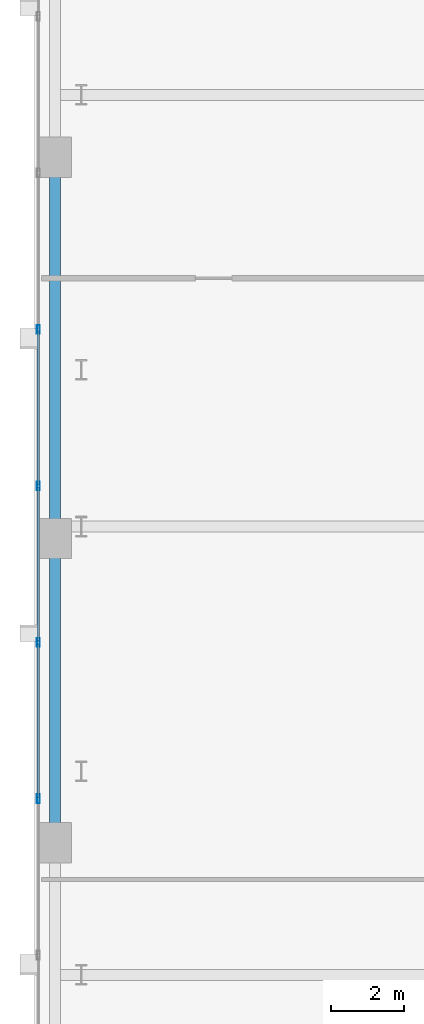
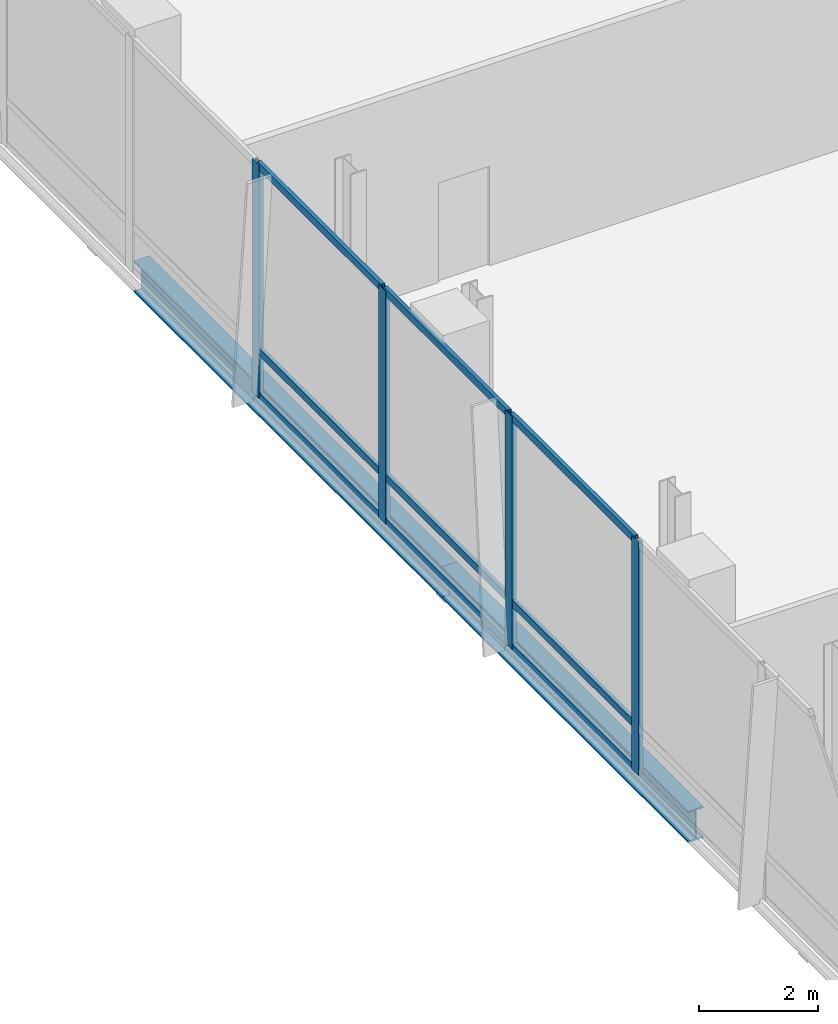
# One storey, part 8 of 26: 13 members, 2 beams, 1 element without a shape of its own.
"""IFC4 building model written with IfcOpenShell, lengths in metres."""

from ifc_helpers import new_model, si_unit, direction, frame, origin, origin_2d, place, context, subcontext, project, spatial, hollow_rectangle, i_section, extrude, material, material_profile, profile_set, type_object, element, aggregate, save


model = new_model("IFC4")

# Units and contexts
model_context = context("Model", 3, precision=1e-05, world=origin(), true_north=direction((0.0, 1.0)))
body_context = subcontext(model_context, "Body", "Model", "MODEL_VIEW")
ifc_project = project(units=[si_unit("LENGTHUNIT", "METRE"), si_unit("AREAUNIT", "SQUARE_METRE"), si_unit("VOLUMEUNIT", "CUBIC_METRE"), si_unit("PLANEANGLEUNIT", "RADIAN"), si_unit("MASSUNIT", "GRAM", prefix="KILO")], contexts=[model_context])

# Site, building, storey
site_placement = place(None, origin())
site = spatial("IfcSite", under=ifc_project, at=site_placement, CompositionType="ELEMENT")
building_placement = place(site_placement, origin())
building = spatial("IfcBuilding", under=site, at=building_placement, Name="Khoronbel Lancet Exchange", CompositionType="ELEMENT")
storey_placement = place(building_placement, frame((0.0, 0.0, 5.39990234375)))
storey = spatial("IfcBuildingStorey", under=building, at=storey_placement, Name="L01", CompositionType="ELEMENT", Elevation=5.39990234375)

# Beams
ifc_material_1 = material(Name="Steel S355", Category="steel")
ifc_material_profile_1 = material_profile(ifc_material_1, i_section(OverallWidth=0.300048828125, OverallDepth=0.64990234375, WebThickness=0.01611328125, FlangeThickness=0.031005859375, at=origin_2d()), Name="HEB 650")
ifc_profile_set_1 = profile_set([ifc_material_profile_1], Name="Steel S355")
beam_type = type_object("IfcBeamType", Name="BM-BSP1", PredefinedType="SPANDREL", material=ifc_profile_set_1)
beam_1_placement = place(storey_placement, frame((0.550048828125, 41.5, -0.52490234375), z_axis=(0.0, -1.0, 0.0), x_axis=(1.0, 0.0, 0.0)))
element("IfcBeam", 1, at=beam_1_placement, inside=storey, type_object=beam_type, Name="Level L01 perimeter spandrel beam SP16", PredefinedType="SPANDREL", context=body_context, shape_type="SweptSolid", body=[
    extrude(i_section(OverallWidth=0.300048828125, OverallDepth=0.64990234375, WebThickness=0.01611328125, FlangeThickness=0.031005859375, at=origin_2d()), origin(), (0.0, 0.0, 1.0), 10.39990234375),
])
beam_2_placement = place(storey_placement, frame((0.550048828125, 31.10009765625, -0.52490234375), z_axis=(0.0, -1.0, 0.0), x_axis=(1.0, 0.0, 0.0)))
element("IfcBeam", 2, at=beam_2_placement, inside=storey, type_object=beam_type, Name="Level L01 perimeter spandrel beam SP17", PredefinedType="SPANDREL", context=body_context, shape_type="SweptSolid", body=[
    extrude(i_section(OverallWidth=0.300048828125, OverallDepth=0.64990234375, WebThickness=0.01611328125, FlangeThickness=0.031005859375, at=origin_2d()), origin(), (0.0, 0.0, 1.0), 8.300048828125),
])

# Curtain wall, members
ifc_material_2 = material(Name="Low-E Solar Control Insulating Glass", Category="glass")
curtain_wall_type = type_object("IfcCurtainWallType", Name="CW-5", PredefinedType="NOTDEFINED", material=ifc_material_2)
curtain_wall_placement = place(storey_placement, origin())
curtain_wall = element("IfcCurtainWall", 3, at=curtain_wall_placement, inside=storey, type_object=curtain_wall_type, Name="Unitised curtain wall CW-L01-WEST", PredefinedType="NOTDEFINED")
ifc_material_3 = material(Name="Bronze-Anodised Aluminium 6063-T6", Category="aluminium")
ifc_material_profile_2 = material_profile(ifc_material_3, hollow_rectangle(XDim=0.0849609375, YDim=0.239990234375, WallThickness=0.006103515625, at=origin_2d()), Name="ALU MULLION 85x240")
ifc_profile_set_2 = profile_set([ifc_material_profile_2], Name="Bronze-Anodised Aluminium 6063-T6")
member_type_1 = type_object("IfcMemberType", Name="MEM-CWM1", PredefinedType="MULLION", material=ifc_profile_set_2)
member_1_placement = place(storey_placement, frame((0.10009765625, 36.800048828125, 0.0), z_axis=(0.0, 0.0, 1.0), x_axis=(1.0, 0.0, 0.0)))
member_1 = element("IfcMember", 4, at=member_1_placement, type_object=member_type_1, Name="CW5 mullion 4", PredefinedType="MULLION", context=body_context, shape_type="SweptSolid", body=[
    extrude(hollow_rectangle(XDim=0.0849609375, YDim=0.239990234375, WallThickness=0.006103515625, at=origin_2d()), origin(), (0.0, 0.0, 1.0), 4.800048828125),
])
member_2_placement = place(storey_placement, frame((0.10009765625, 32.533447265625, 0.0), z_axis=(0.0, 0.0, 1.0), x_axis=(1.0, 0.0, 0.0)))
member_2 = element("IfcMember", 5, at=member_2_placement, type_object=member_type_1, Name="CW5 mullion 5", PredefinedType="MULLION", context=body_context, shape_type="SweptSolid", body=[
    extrude(hollow_rectangle(XDim=0.0849609375, YDim=0.239990234375, WallThickness=0.006103515625, at=origin_2d()), origin(), (0.0, 0.0, 1.0), 4.800048828125),
])
member_3_placement = place(storey_placement, frame((0.10009765625, 28.2666015625, 0.0), z_axis=(0.0, 0.0, 1.0), x_axis=(1.0, 0.0, 0.0)))
member_3 = element("IfcMember", 6, at=member_3_placement, type_object=member_type_1, Name="CW5 mullion 6", PredefinedType="MULLION", context=body_context, shape_type="SweptSolid", body=[
    extrude(hollow_rectangle(XDim=0.0849609375, YDim=0.239990234375, WallThickness=0.006103515625, at=origin_2d()), origin(), (0.0, 0.0, 1.0), 4.800048828125),
])
member_4_placement = place(storey_placement, frame((0.10009765625, 24.0, 0.0), z_axis=(0.0, 0.0, 1.0), x_axis=(1.0, 0.0, 0.0)))
member_4 = element("IfcMember", 7, at=member_4_placement, type_object=member_type_1, Name="CW5 mullion 7", PredefinedType="MULLION", context=body_context, shape_type="SweptSolid", body=[
    extrude(hollow_rectangle(XDim=0.0849609375, YDim=0.239990234375, WallThickness=0.006103515625, at=origin_2d()), origin(), (0.0, 0.0, 1.0), 4.800048828125),
])
ifc_material_profile_3 = material_profile(ifc_material_3, hollow_rectangle(XDim=0.074951171875, YDim=0.14990234375, WallThickness=0.00439453125, at=origin_2d()), Name="ALU TRANSOM 75x150")
ifc_profile_set_3 = profile_set([ifc_material_profile_3], Name="Bronze-Anodised Aluminium 6063-T6")
member_type_2 = type_object("IfcMemberType", Name="MEM-CWT2", PredefinedType="USERDEFINED", material=ifc_profile_set_3)
member_5_placement = place(storey_placement, frame((0.10009765625, 36.757568359375, 0.03759765625), z_axis=(0.0, -1.0, 0.0), x_axis=(1.0, 0.0, 0.0)))
member_5 = element("IfcMember", 8, at=member_5_placement, type_object=member_type_2, Name="CW5 transom 4.1", ObjectType="TRANSOM", PredefinedType="USERDEFINED", context=body_context, shape_type="SweptSolid", body=[
    extrude(hollow_rectangle(XDim=0.074951171875, YDim=0.14990234375, WallThickness=0.00439453125, at=origin_2d()), origin(), (0.0, 0.0, 1.0), 4.181640625),
])
member_6_placement = place(storey_placement, frame((0.10009765625, 36.757568359375, 0.9501953125), z_axis=(0.0, -1.0, 0.0), x_axis=(1.0, 0.0, 0.0)))
member_6 = element("IfcMember", 9, at=member_6_placement, type_object=member_type_2, Name="CW5 transom 4.2", ObjectType="TRANSOM", PredefinedType="USERDEFINED", context=body_context, shape_type="SweptSolid", body=[
    extrude(hollow_rectangle(XDim=0.074951171875, YDim=0.14990234375, WallThickness=0.00439453125, at=origin_2d()), origin(), (0.0, 0.0, 1.0), 4.181640625),
])
member_7_placement = place(storey_placement, frame((0.10009765625, 36.757568359375, 4.7626953125), z_axis=(0.0, -1.0, 0.0), x_axis=(1.0, 0.0, 0.0)))
member_7 = element("IfcMember", 10, at=member_7_placement, type_object=member_type_2, Name="CW5 transom 4.3", ObjectType="TRANSOM", PredefinedType="USERDEFINED", context=body_context, shape_type="SweptSolid", body=[
    extrude(hollow_rectangle(XDim=0.074951171875, YDim=0.14990234375, WallThickness=0.00439453125, at=origin_2d()), origin(), (0.0, 0.0, 1.0), 4.181640625),
])
member_8_placement = place(storey_placement, frame((0.10009765625, 32.49072265625, 0.03759765625), z_axis=(0.0, -1.0, 0.0), x_axis=(1.0, 0.0, 0.0)))
member_8 = element("IfcMember", 11, at=member_8_placement, type_object=member_type_2, Name="CW5 transom 5.1", ObjectType="TRANSOM", PredefinedType="USERDEFINED", context=body_context, shape_type="SweptSolid", body=[
    extrude(hollow_rectangle(XDim=0.074951171875, YDim=0.14990234375, WallThickness=0.00439453125, at=origin_2d()), origin(), (0.0, 0.0, 1.0), 4.181640625),
])
member_9_placement = place(storey_placement, frame((0.10009765625, 32.49072265625, 0.9501953125), z_axis=(0.0, -1.0, 0.0), x_axis=(1.0, 0.0, 0.0)))
member_9 = element("IfcMember", 12, at=member_9_placement, type_object=member_type_2, Name="CW5 transom 5.2", ObjectType="TRANSOM", PredefinedType="USERDEFINED", context=body_context, shape_type="SweptSolid", body=[
    extrude(hollow_rectangle(XDim=0.074951171875, YDim=0.14990234375, WallThickness=0.00439453125, at=origin_2d()), origin(), (0.0, 0.0, 1.0), 4.181640625),
])
member_10_placement = place(storey_placement, frame((0.10009765625, 32.49072265625, 4.7626953125), z_axis=(0.0, -1.0, 0.0), x_axis=(1.0, 0.0, 0.0)))
member_10 = element("IfcMember", 13, at=member_10_placement, type_object=member_type_2, Name="CW5 transom 5.3", ObjectType="TRANSOM", PredefinedType="USERDEFINED", context=body_context, shape_type="SweptSolid", body=[
    extrude(hollow_rectangle(XDim=0.074951171875, YDim=0.14990234375, WallThickness=0.00439453125, at=origin_2d()), origin(), (0.0, 0.0, 1.0), 4.181640625),
])
member_11_placement = place(storey_placement, frame((0.10009765625, 28.22412109375, 0.03759765625), z_axis=(0.0, -1.0, 0.0), x_axis=(1.0, 0.0, 0.0)))
member_11 = element("IfcMember", 14, at=member_11_placement, type_object=member_type_2, Name="CW5 transom 6.1", ObjectType="TRANSOM", PredefinedType="USERDEFINED", context=body_context, shape_type="SweptSolid", body=[
    extrude(hollow_rectangle(XDim=0.074951171875, YDim=0.14990234375, WallThickness=0.00439453125, at=origin_2d()), origin(), (0.0, 0.0, 1.0), 4.181640625),
])
member_12_placement = place(storey_placement, frame((0.10009765625, 28.22412109375, 0.9501953125), z_axis=(0.0, -1.0, 0.0), x_axis=(1.0, 0.0, 0.0)))
member_12 = element("IfcMember", 15, at=member_12_placement, type_object=member_type_2, Name="CW5 transom 6.2", ObjectType="TRANSOM", PredefinedType="USERDEFINED", context=body_context, shape_type="SweptSolid", body=[
    extrude(hollow_rectangle(XDim=0.074951171875, YDim=0.14990234375, WallThickness=0.00439453125, at=origin_2d()), origin(), (0.0, 0.0, 1.0), 4.181640625),
])
member_13_placement = place(storey_placement, frame((0.10009765625, 28.22412109375, 4.7626953125), z_axis=(0.0, -1.0, 0.0), x_axis=(1.0, 0.0, 0.0)))
member_13 = element("IfcMember", 16, at=member_13_placement, type_object=member_type_2, Name="CW5 transom 6.3", ObjectType="TRANSOM", PredefinedType="USERDEFINED", context=body_context, shape_type="SweptSolid", body=[
    extrude(hollow_rectangle(XDim=0.074951171875, YDim=0.14990234375, WallThickness=0.00439453125, at=origin_2d()), origin(), (0.0, 0.0, 1.0), 4.181640625),
])
aggregate(curtain_wall, [member_1, member_2, member_3, member_4, member_5, member_6, member_7, member_8, member_9, member_10, member_11, member_12, member_13])

save(model, "model.ifc")
